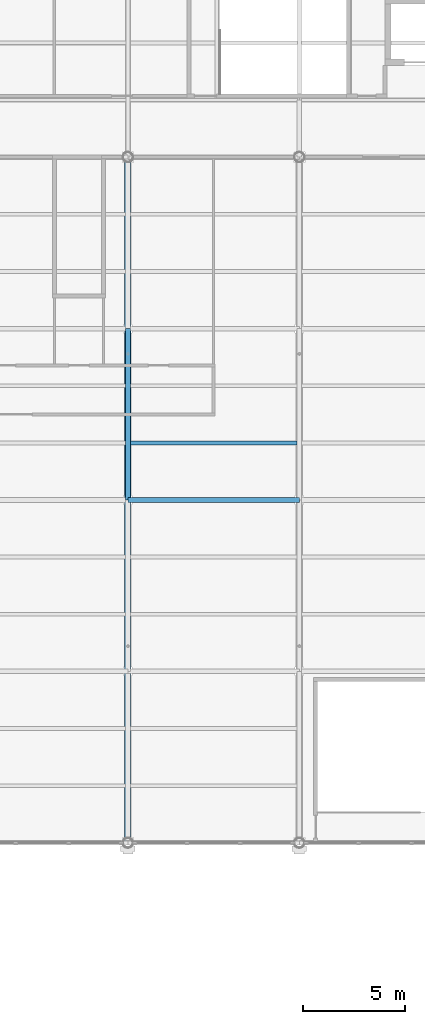
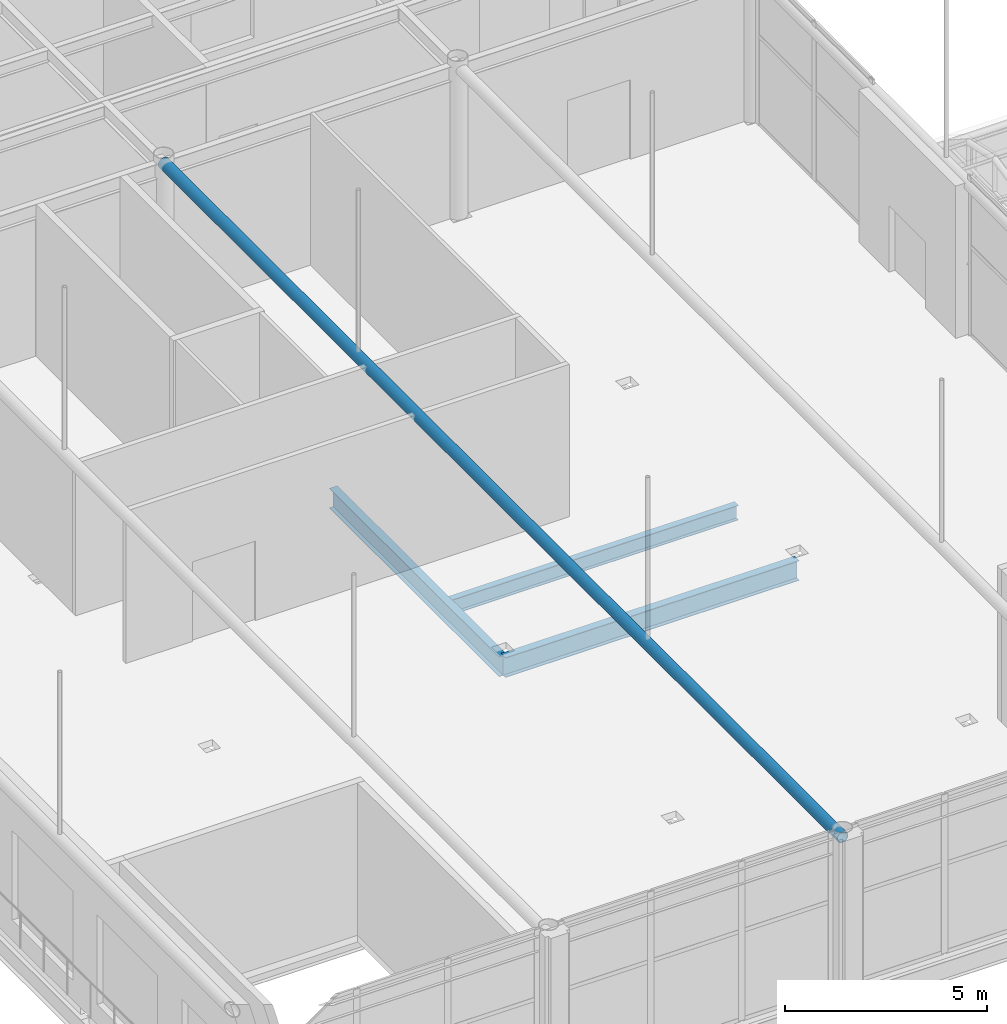
# One storey, part 86 of 167: 4 beams.
"""IFC4 building model written with IfcOpenShell, lengths in metres."""

import ifcopenshell
import ifcopenshell.guid

model = None  # the IFC model being written
_history = None  # IfcOwnerHistory: only IFC2X3 demands one
_inside = {}  # id of a spatial element -> (the spatial element, [elements in it])
_under = {}  # id of a project, library or spatial element -> (it, [spatial elements below it])
_declared = {}  # id of a project -> (the project, [libraries it declares])
_typed = {}  # id of a type object -> (the type object, [elements of that type])
_made_of = {}  # id of a material, layer set ... -> (it, [elements and type objects made of it])


def new_model(schema):
    """Start an empty IFC model of exactly this schema.

    Asked for "IFC4X3", IfcOpenShell would pick the latest addendum, in which some entities
    have other attributes; the version numbers below select the first issue.
    IFC2X3 requires an IfcOwnerHistory on every rooted entity: one is made here for all.
    """
    global model, _history
    if schema == "IFC4X3":
        model = ifcopenshell.file(schema_version=(4, 3, 0, 0))
    else:
        model = ifcopenshell.file(schema=schema)
    _inside.clear()
    _under.clear()
    _declared.clear()
    _typed.clear()
    _made_of.clear()
    _history = None
    if model.schema == "IFC2X3":
        org = make("IfcOrganization", Name="unknown")
        user = make(
            "IfcPersonAndOrganization",
            ThePerson=make("IfcPerson", FamilyName="unknown"),
            TheOrganization=org,
        )
        app = make(
            "IfcApplication",
            ApplicationDeveloper=org,
            Version="unknown",
            ApplicationFullName="unknown",
            ApplicationIdentifier="unknown",
        )
        _history = make(
            "IfcOwnerHistory",
            OwningUser=user,
            OwningApplication=app,
            ChangeAction="ADDED",
            CreationDate=0,
        )
    return model


def make(cls, **values):
    """One entity of the class cls with the attributes given. An attribute that is None is left unset."""
    return model.create_entity(
        cls, **{name: value for name, value in values.items() if value is not None}
    )


def rooted(cls, **values):
    """An entity with a GlobalId (a new one), such as an element, a storey or a relation."""
    return make(cls, GlobalId=ifcopenshell.guid.new(), OwnerHistory=_history, **values)


def si_unit(unit_type, name, prefix=None):
    """IfcSIUnit, for example si_unit("LENGTHUNIT", "METRE", prefix="MILLI")."""
    return make("IfcSIUnit", UnitType=unit_type, Prefix=prefix, Name=name)


def assignment(units):
    """IfcUnitAssignment: the units of a project."""
    return None if units is None else make("IfcUnitAssignment", Units=units)


def point(xyz):
    """IfcCartesianPoint."""
    return None if xyz is None else make("IfcCartesianPoint", Coordinates=xyz)


def direction(xyz):
    """IfcDirection."""
    return None if xyz is None else make("IfcDirection", DirectionRatios=xyz)


def frame(location, z_axis=None, x_axis=None):
    """IfcAxis2Placement3D, a coordinate frame: its origin and axes. An axis left out is left unset."""
    return make(
        "IfcAxis2Placement3D",
        Location=point(location),
        Axis=direction(z_axis),
        RefDirection=direction(x_axis),
    )


def frame_2d(location, x_axis=None):
    """IfcAxis2Placement2D, a coordinate frame in the plane: its origin and x axis."""
    return make(
        "IfcAxis2Placement2D", Location=point(location), RefDirection=direction(x_axis)
    )


def origin():
    """The frame at (0, 0, 0) with its axes left unset."""
    return frame((0.0, 0.0, 0.0))


def origin_2d():
    """The frame at (0, 0) in the plane with its x axis left unset."""
    return frame_2d((0.0, 0.0))


def place(relative_to, where):
    """IfcLocalPlacement: puts the frame where relative to a parent placement (None: the world)."""
    return make(
        "IfcLocalPlacement", PlacementRelTo=relative_to, RelativePlacement=where
    )


def context(
    kind, dimensions, precision=None, world=None, true_north=None, identifier=None
):
    """IfcGeometricRepresentationContext, for example the 3D "Model" context."""
    return make(
        "IfcGeometricRepresentationContext",
        ContextIdentifier=identifier,
        ContextType=kind,
        CoordinateSpaceDimension=dimensions,
        Precision=precision,
        WorldCoordinateSystem=world,
        TrueNorth=true_north,
    )


def subcontext(parent, identifier, kind, view, scale=None):
    """IfcGeometricRepresentationSubContext, for example "Body" below "Model"."""
    return make(
        "IfcGeometricRepresentationSubContext",
        ContextIdentifier=identifier,
        ContextType=kind,
        ParentContext=parent,
        TargetScale=scale,
        TargetView=view,
    )


def project(units=None, contexts=None):
    """IfcProject with its units and contexts."""
    return rooted(
        "IfcProject",
        Name="project",
        RepresentationContexts=contexts,
        UnitsInContext=assignment(units),
    )


def spatial(cls, under=None, at=None, **own):
    """A site, building, storey or space (cls), placed at a placement, below another one or the project."""
    s = rooted(cls, ObjectPlacement=at, **own)
    if under is not None:
        _under.setdefault(under.id(), (under, []))[1].append(s)
    return s


def profile(cls, at=None, kind="AREA", **sizes):
    """A parametric profile (cls). Its sizes go by their IFC names, for example OverallWidth=200.0."""
    return make(cls, ProfileType=kind, Position=at, **sizes)


def hollow_circle(**sizes):
    """IfcCircleHollowProfileDef."""
    return profile("IfcCircleHollowProfileDef", **sizes)


def i_section(**sizes):
    """IfcIShapeProfileDef."""
    return profile("IfcIShapeProfileDef", **sizes)


def extrude(swept, where, along, depth):
    """IfcExtrudedAreaSolid: the profile swept, set in the frame where, extruded along a direction by depth."""
    return make(
        "IfcExtrudedAreaSolid",
        SweptArea=swept,
        Position=where,
        ExtrudedDirection=direction(along),
        Depth=depth,
    )


def shape(context_of_items, identifier, shape_type, items):
    """IfcShapeRepresentation: the items that make up one representation, for example the "Body"."""
    return make(
        "IfcShapeRepresentation",
        ContextOfItems=context_of_items,
        RepresentationIdentifier=identifier,
        RepresentationType=shape_type,
        Items=items,
    )


def material(Name=None, Category=None):
    """IfcMaterial."""
    return make("IfcMaterial", Name=Name, Category=Category)


def material_profile(
    of_material, cross_section, Name=None, Category=None, Priority=None
):
    """IfcMaterialProfile: a cross section and its material."""
    return make(
        "IfcMaterialProfile",
        Name=Name,
        Material=of_material,
        Profile=cross_section,
        Priority=Priority,
        Category=Category,
    )


def profile_set(profiles, Name=None, composite=None):
    """IfcMaterialProfileSet."""
    return make(
        "IfcMaterialProfileSet",
        Name=Name,
        MaterialProfiles=profiles,
        CompositeProfile=composite,
    )


def made_of(thing, what):
    """Note that an element or type object is made of a material, layer set ...; save() writes the relation."""
    if what is not None:
        _made_of.setdefault(what.id(), (what, []))[1].append(thing)
    return thing


def type_object(cls, material=None, **own):
    """A type object (cls), such as IfcWallType, which elements share."""
    return made_of(rooted(cls, **own), material)


def element(
    cls,
    number,
    at=None,
    inside=None,
    cuts=None,
    type_object=None,
    material=None,
    context=None,
    identifier="Body",
    shape_type=None,
    held_by="IfcProductDefinitionShape",
    body=None,
    shapes=None,
    **own,
):
    """One element of the class cls, such as IfcWall. Its Tag is "e" and its number.

    at: its placement. inside: the storey or other place that contains it. cuts: it is an
    opening in that element (IfcRelVoidsElement). A single representation is given by context,
    identifier, shape_type and body (its items); several are given by shapes. held_by: the class
    of the entity that holds the representations. save() writes the other relations.
    """
    e = rooted(cls, Tag="e%d" % number, ObjectPlacement=at, **own)
    if body is not None:
        shapes = [shape(context, identifier, shape_type, body)]
    if shapes is not None:
        e.Representation = make(held_by, Representations=shapes)
    if inside is not None:
        _inside.setdefault(inside.id(), (inside, []))[1].append(e)
    if cuts is not None:
        rooted(
            "IfcRelVoidsElement", RelatingBuildingElement=cuts, RelatedOpeningElement=e
        )
    if type_object is not None:
        _typed.setdefault(type_object.id(), (type_object, []))[1].append(e)
    return made_of(e, material)


def aggregate(whole, parts):
    """IfcRelAggregates: a whole, such as a stair, and the parts it consists of."""
    return rooted("IfcRelAggregates", RelatingObject=whole, RelatedObjects=parts)


def save(model, path):
    """Write the relations noted so far, then the file.

    IfcRelAggregates (storeys below a building ...), IfcRelContainedInSpatialStructure (elements
    in a storey), IfcRelDefinesByType, IfcRelAssociatesMaterial and IfcRelDeclares: one each for
    every whole, place, type object, material and project.
    """
    for whole, parts in _under.values():
        aggregate(whole, parts)
    for where, things in _inside.values():
        rooted(
            "IfcRelContainedInSpatialStructure",
            RelatedElements=things,
            RelatingStructure=where,
        )
    for kind, things in _typed.values():
        rooted("IfcRelDefinesByType", RelatedObjects=things, RelatingType=kind)
    for what, things in _made_of.values():
        rooted("IfcRelAssociatesMaterial", RelatedObjects=things, RelatingMaterial=what)
    for by, libraries in _declared.values():
        rooted("IfcRelDeclares", RelatingContext=by, RelatedDefinitions=libraries)
    model.write(path)


model = new_model("IFC4")

# Units and contexts
model_context = context("Model", 3, precision=1e-05, world=origin(), true_north=direction((0.0, 1.0)))
body_context = subcontext(model_context, "Body", "Model", "MODEL_VIEW")
ifc_project = project(units=[si_unit("LENGTHUNIT", "METRE"), si_unit("AREAUNIT", "SQUARE_METRE"), si_unit("VOLUMEUNIT", "CUBIC_METRE"), si_unit("PLANEANGLEUNIT", "RADIAN"), si_unit("MASSUNIT", "GRAM", prefix="KILO")], contexts=[model_context])

# Site, building, storey
site_placement = place(None, origin())
site = spatial("IfcSite", under=ifc_project, at=site_placement, CompositionType="ELEMENT")
building_placement = place(site_placement, origin())
building = spatial("IfcBuilding", under=site, at=building_placement, Name="Catenary Quay Ferry Terminal", CompositionType="ELEMENT")
storey_placement = place(building_placement, frame((0.0, 0.0, 6.0)))
storey = spatial("IfcBuildingStorey", under=building, at=storey_placement, Name="L01", CompositionType="ELEMENT", Elevation=6.0)

# Beams
ifc_material_1 = material(Name="Steel S355", Category="steel")
ifc_material_profile_1 = material_profile(ifc_material_1, i_section(OverallWidth=0.2275390625, OverallDepth=0.6025390625, WebThickness=0.010498046875, FlangeThickness=0.014892578125, at=origin_2d()), Name="UB 610x229x101")
ifc_profile_set_1 = profile_set([ifc_material_profile_1], Name="Steel S355")
beam_type_1 = type_object("IfcBeamType", Name="B3 UB 610x229x101", PredefinedType="BEAM", material=ifc_profile_set_1)
for number, where, z_axis, x_axis, name in (
    (1, (75.60009765625, 84.0, -0.5009765625), (1.0, 0.0, 0.0), (0.0, 1.0, 0.0), "Beam B3-011"),
    (2, (75.60009765625, 84.0, -0.5009765625), (0.0, 1.0, 0.0), (-1.0, 0.0, 0.0), "Beam B3-037"),
):
    element("IfcBeam", number, at=place(storey_placement, frame(where, z_axis=z_axis, x_axis=x_axis)), inside=storey, type_object=beam_type_1, Name=name, PredefinedType="BEAM", context=body_context, shape_type="SweptSolid", body=[
        extrude(i_section(OverallWidth=0.2275390625, OverallDepth=0.6025390625, WebThickness=0.010498046875, FlangeThickness=0.014892578125, at=origin_2d()), origin(), (0.0, 0.0, 1.0), 8.39990234375),
    ])
ifc_material_2 = material(Name="Steel S355", Category="steel")
ifc_material_profile_2 = material_profile(ifc_material_2, i_section(OverallWidth=0.18994140625, OverallDepth=0.449951171875, WebThickness=0.009521484375, FlangeThickness=0.0146484375, at=origin_2d()), Name="IPE 450")
ifc_profile_set_2 = profile_set([ifc_material_profile_2], Name="Steel S355")
beam_type_2 = type_object("IfcBeamType", Name="B4 IPE 450", PredefinedType="BEAM", material=ifc_profile_set_2)
beam_1_placement = place(storey_placement, frame((75.714111328125, 86.800048828125, -0.425048828125), z_axis=(1.0, 0.0, 0.0), x_axis=(0.0, 1.0, 0.0)))
element("IfcBeam", 3, at=beam_1_placement, inside=storey, type_object=beam_type_2, Name="Beam B4-015", PredefinedType="BEAM", context=body_context, shape_type="SweptSolid", body=[
    extrude(i_section(OverallWidth=0.18994140625, OverallDepth=0.449951171875, WebThickness=0.009521484375, FlangeThickness=0.0146484375, at=origin_2d()), origin(), (0.0, 0.0, 1.0), 8.171875),
])
ifc_material_3 = material(Name="Steel S355", Category="steel")
ifc_material_profile_3 = material_profile(ifc_material_3, hollow_circle(Radius=0.161865234375, WallThickness=0.01611328125, at=origin_2d()), Name="CHS 323.9x16")
ifc_profile_set_3 = profile_set([ifc_material_profile_3], Name="Steel S355")
beam_type_3 = type_object("IfcBeamType", Name="TB3 CHS 323.9x16", PredefinedType="BEAM", material=ifc_profile_set_3)
beam_2_placement = place(storey_placement, frame((75.60009765625, 67.199951171875, 4.5), z_axis=(0.0, 1.0, 0.0), x_axis=(-1.0, 0.0, 0.0)))
element("IfcBeam", 4, at=beam_2_placement, inside=storey, type_object=beam_type_3, Name="Vault tie beam VA-07", PredefinedType="BEAM", context=body_context, shape_type="SweptSolid", body=[
    extrude(hollow_circle(Radius=0.161865234375, WallThickness=0.01611328125, at=origin_2d()), origin(), (0.0, 0.0, 1.0), 33.60009765625),
])

save(model, "model.ifc")
